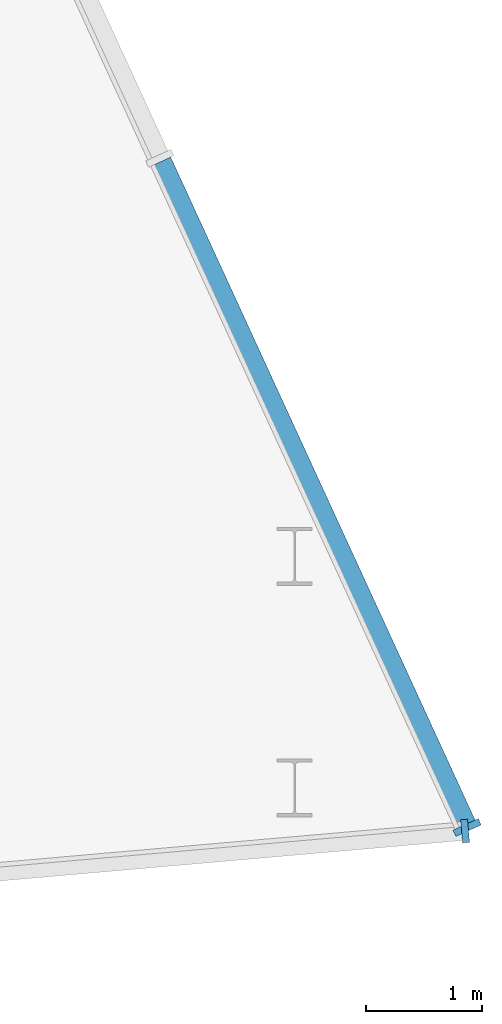
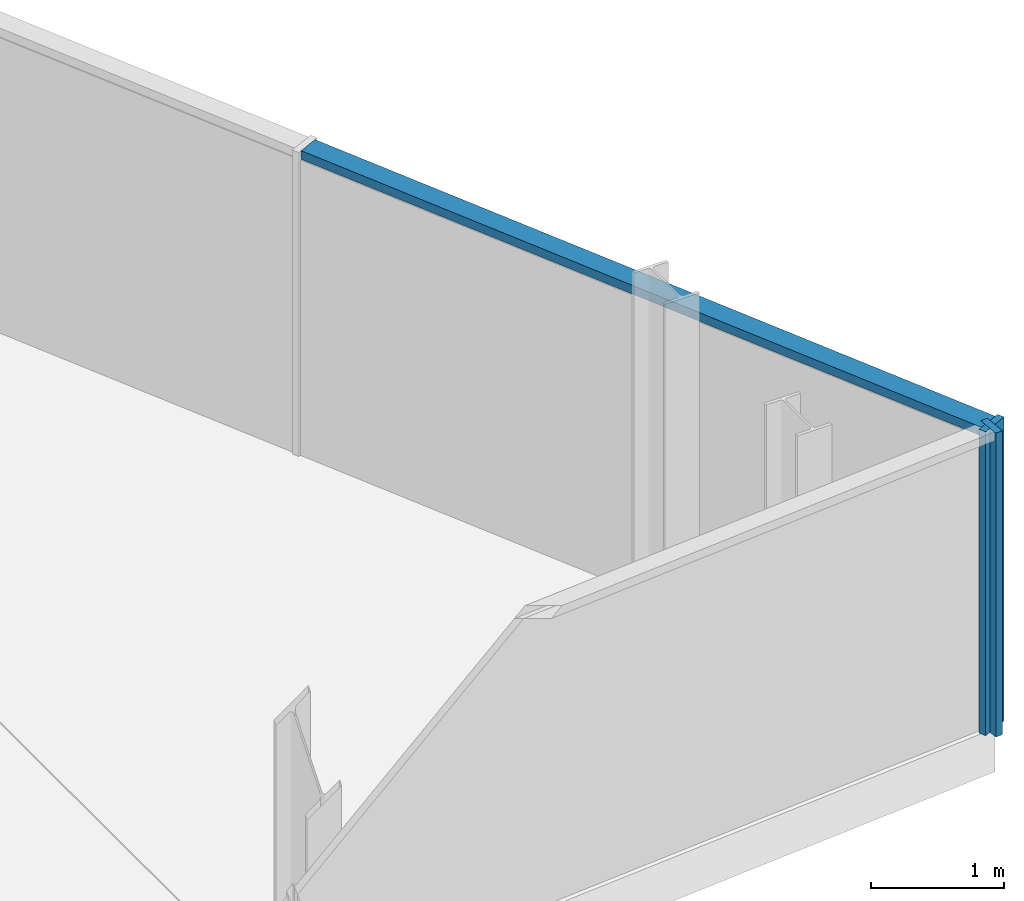
# One storey, part 5 of 9: 3 members, 2 elements without a shape of their own.
"""IFC4 building model written with IfcOpenShell, lengths in metres."""

from ifc_helpers import new_model, si_unit, direction, frame, origin, origin_2d, place, context, subcontext, project, spatial, rectangle, extrude, material, material_profile, profile_set, type_object, element, aggregate, save


model = new_model("IFC4")

# Units and contexts
model_context = context("Model", 3, precision=1e-05, world=origin(), true_north=direction((0.0, 1.0)))
body_context = subcontext(model_context, "Body", "Model", "MODEL_VIEW")
ifc_project = project(units=[si_unit("LENGTHUNIT", "METRE"), si_unit("AREAUNIT", "SQUARE_METRE"), si_unit("VOLUMEUNIT", "CUBIC_METRE"), si_unit("PLANEANGLEUNIT", "RADIAN"), si_unit("MASSUNIT", "GRAM", prefix="KILO")], contexts=[model_context])

# Site, building, storey
site_placement = place(None, origin())
site = spatial("IfcSite", under=ifc_project, at=site_placement, CompositionType="ELEMENT")
building_placement = place(site_placement, origin())
building = spatial("IfcBuilding", under=site, at=building_placement, Name="Wharfspan Tower", CompositionType="ELEMENT")
storey_placement = place(building_placement, frame((0.0, 0.0, 270.699951)))
storey = spatial("IfcBuildingStorey", under=building, at=storey_placement, Name="L69", CompositionType="ELEMENT", Elevation=270.699951)

# Curtain wall, member
ifc_material = material(Name="Aluminium 6063-T6", Category="aluminium")
curtain_wall_type_1 = type_object("IfcCurtainWallType", Name="CURTAIN WALL FACETED FRONT", PredefinedType="NOTDEFINED", material=ifc_material)
curtain_wall_1_placement = place(storey_placement, origin())
curtain_wall_1 = element("IfcCurtainWall", 1, at=curtain_wall_1_placement, inside=storey, type_object=curtain_wall_type_1, Name="Crown curtain wall S2", PredefinedType="NOTDEFINED")
ifc_material_profile_1 = material_profile(ifc_material, rectangle(XDim=0.199951, YDim=0.060059, at=origin_2d()))
ifc_profile_set_1 = profile_set([ifc_material_profile_1], Name="Aluminium 6063-T6")
member_type_1 = type_object("IfcMemberType", Name="MULLION FACETED FRONT 60x200", PredefinedType="MULLION", material=ifc_profile_set_1)
member_1_placement = place(storey_placement, frame((77.970215, 8.797363, 0.0), z_axis=(0.0, 0.0, 1.0), x_axis=(-0.087156, 0.996198, 0.0)))
member_1 = element("IfcMember", 2, at=member_1_placement, type_object=member_type_1, Name="Crown curtain wall S2 mullion 6", PredefinedType="MULLION", context=body_context, shape_type="SweptSolid", body=[
    extrude(rectangle(XDim=0.199951, YDim=0.060059, at=origin_2d()), origin(), (0.0, 0.0, 1.0), 2.800049),
])
aggregate(curtain_wall_1, [member_1])

# Curtain wall, members
curtain_wall_type_2 = type_object("IfcCurtainWallType", Name="CURTAIN WALL PROW AND END", PredefinedType="NOTDEFINED", material=ifc_material)
curtain_wall_2_placement = place(storey_placement, origin())
curtain_wall_2 = element("IfcCurtainWall", 3, at=curtain_wall_2_placement, inside=storey, type_object=curtain_wall_type_2, Name="Crown curtain wall E", PredefinedType="NOTDEFINED")
ifc_material_profile_2 = material_profile(ifc_material, rectangle(XDim=0.23999, YDim=0.060059, at=origin_2d()))
ifc_profile_set_2 = profile_set([ifc_material_profile_2], Name="Aluminium 6063-T6")
member_type_2 = type_object("IfcMemberType", Name="MULLION PROW AND END 60x240", PredefinedType="MULLION", material=ifc_profile_set_2)
member_2_placement = place(storey_placement, frame((77.987549, 8.827148, 0.0), z_axis=(0.0, 0.0, 1.0), x_axis=(-0.908769, -0.417292, 0.0)))
member_2 = element("IfcMember", 4, at=member_2_placement, type_object=member_type_2, Name="Crown curtain wall E mullion 1", PredefinedType="MULLION", context=body_context, shape_type="SweptSolid", body=[
    extrude(rectangle(XDim=0.23999, YDim=0.060059, at=origin_2d()), origin(), (0.0, 0.0, 1.0), 2.800049),
])
ifc_material_profile_3 = material_profile(ifc_material, rectangle(XDim=0.179932, YDim=0.080078, at=origin_2d()))
ifc_profile_set_3 = profile_set([ifc_material_profile_3], Name="Aluminium 6063-T6")
member_type_3 = type_object("IfcMemberType", Name="TRANSOM PROW AND END 80x180", PredefinedType="USERDEFINED", material=ifc_profile_set_3)
member_3_placement = place(storey_placement, frame((77.974854, 8.854492, 2.76001), z_axis=(-0.417261, 0.908787, 0.0), x_axis=(-0.908787, -0.417261, 0.0)))
member_3 = element("IfcMember", 5, at=member_3_placement, type_object=member_type_3, Name="Crown curtain wall E transom 1", ObjectType="TRANSOM", PredefinedType="USERDEFINED", context=body_context, shape_type="SweptSolid", body=[
    extrude(rectangle(XDim=0.179932, YDim=0.080078, at=origin_2d()), origin(), (0.0, 0.0, 1.0), 6.292236),
])
aggregate(curtain_wall_2, [member_2, member_3])

save(model, "model.ifc")
